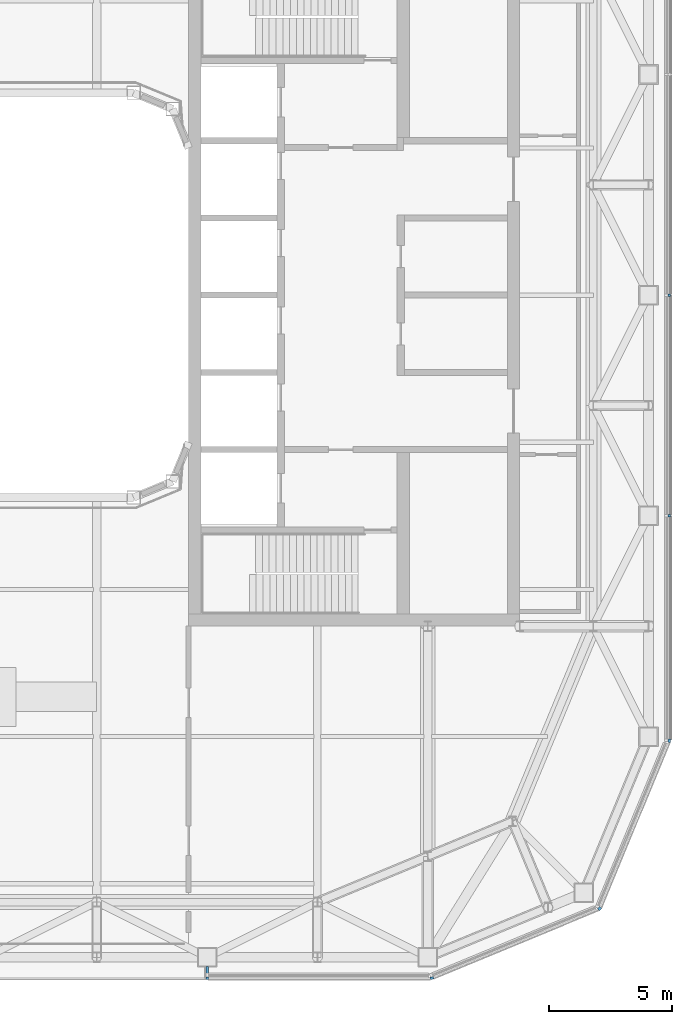
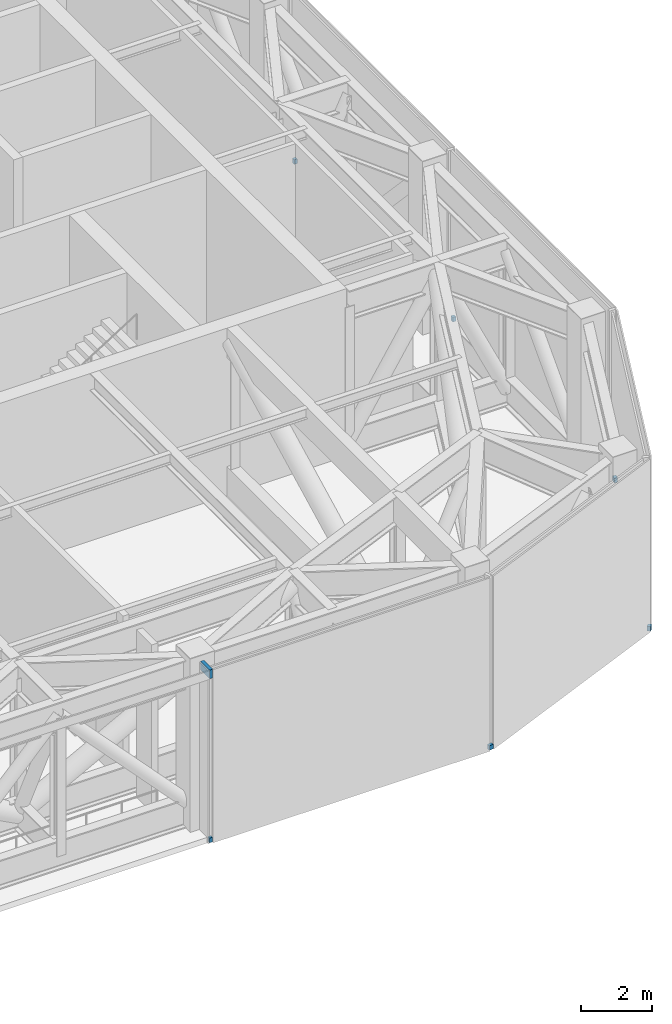
# One storey, part 15 of 21: 7 discrete accessories.
"""IFC4 building model written with IfcOpenShell, lengths in metres."""

from ifc_helpers import new_model, si_unit, direction, frame, origin, origin_2d, place, context, subcontext, project, spatial, rectangle, extrude, material, type_object, element, save


model = new_model("IFC4")

# Units and contexts
model_context = context("Model", 3, precision=1e-05, world=origin(), true_north=direction((0.0, 1.0)))
body_context = subcontext(model_context, "Body", "Model", "MODEL_VIEW")
ifc_project = project(units=[si_unit("LENGTHUNIT", "METRE"), si_unit("AREAUNIT", "SQUARE_METRE"), si_unit("VOLUMEUNIT", "CUBIC_METRE"), si_unit("PLANEANGLEUNIT", "RADIAN"), si_unit("MASSUNIT", "GRAM", prefix="KILO")], contexts=[model_context])

# Site, building, storey
site_placement = place(None, origin())
site = spatial("IfcSite", under=ifc_project, at=site_placement, CompositionType="ELEMENT")
building_placement = place(site_placement, origin())
building = spatial("IfcBuilding", under=site, at=building_placement, Name="Siwar Civic Tower", CompositionType="ELEMENT")
storey_placement = place(building_placement, frame((0.0, 0.0, 278.199951171875)))
storey = spatial("IfcBuildingStorey", under=building, at=storey_placement, Name="L60", CompositionType="ELEMENT", Elevation=278.199951171875)

# Discrete accessories
ifc_material = material(Name="Stainless steel 316", Category="steel")
discrete_accessory_type = type_object("IfcDiscreteAccessoryType", Name="ENV-BRACKET", PredefinedType="BRACKET", material=ifc_material)
for number, where, z_axis, x_axis, name in (
    (1, (27.85009765625, -9.0, -0.1796875), (0.0, 0.0, 1.0), (1.0, 0.0, 0.0), "Bracket outer skin joint E-01"),
    (2, (27.85009765625, 0.0, -0.1796875), (0.0, 0.0, 1.0), (1.0, 0.0, 0.0), "Bracket outer skin joint E-02"),
    (3, (9.0, -27.85009765625, -0.1796875), (0.0, 0.0, 1.0), (0.0, -1.0, 0.0), "Bracket outer skin joint S-03"),
):
    element("IfcDiscreteAccessory", number, at=place(storey_placement, frame(where, z_axis=z_axis, x_axis=x_axis)), inside=storey, type_object=discrete_accessory_type, Name=name, PredefinedType="BRACKET", context=body_context, shape_type="SweptSolid", body=[
        extrude(rectangle(XDim=0.10009765625, YDim=0.10009765625, at=origin_2d()), origin(), (0.0, 0.0, 1.0), 0.159912109375),
    ])
discrete_accessory_1_placement = place(storey_placement, frame((18.169189453125, -27.85009765625, -0.1796875), z_axis=(0.0, 0.0, 1.0), x_axis=(0.195090322016, -0.980785280403, 0.0)))
element("IfcDiscreteAccessory", 4, at=discrete_accessory_1_placement, inside=storey, type_object=discrete_accessory_type, Name="Bracket outer skin joint V01", PredefinedType="BRACKET", context=body_context, shape_type="SweptSolid", body=[
    extrude(rectangle(XDim=0.10205078125, YDim=0.13720703125, at=origin_2d()), origin(), (0.0, 0.0, 1.0), 0.159912109375),
])
discrete_accessory_2_placement = place(storey_placement, frame((25.014404296875, -25.014404296875, -0.1796875), z_axis=(0.0, 0.0, 1.0), x_axis=(0.707106781187, -0.707106781187, 0.0)))
element("IfcDiscreteAccessory", 5, at=discrete_accessory_2_placement, inside=storey, type_object=discrete_accessory_type, Name="Bracket outer skin joint V02", PredefinedType="BRACKET", context=body_context, shape_type="SweptSolid", body=[
    extrude(rectangle(XDim=0.108154296875, YDim=0.12939453125, at=origin_2d()), origin(), (0.0, 0.0, 1.0), 0.159912109375),
])
discrete_accessory_3_placement = place(storey_placement, frame((27.85009765625, -18.169189453125, -0.1796875), z_axis=(0.0, 0.0, 1.0), x_axis=(0.980785280403, -0.195090322016, 0.0)))
element("IfcDiscreteAccessory", 6, at=discrete_accessory_3_placement, inside=storey, type_object=discrete_accessory_type, Name="Bracket outer skin joint V03", PredefinedType="BRACKET", context=body_context, shape_type="SweptSolid", body=[
    extrude(rectangle(XDim=0.10205078125, YDim=0.13720703125, at=origin_2d()), origin(), (0.0, 0.0, 1.0), 0.159912109375),
])
discrete_accessory_4_placement = place(storey_placement, frame((9.0, -27.639892578125, 5.5), z_axis=(0.0, 0.0, 1.0), x_axis=(0.0, 1.0, 0.0)))
element("IfcDiscreteAccessory", 7, at=discrete_accessory_4_placement, inside=storey, type_object=discrete_accessory_type, Name="Bracket portal frame S L60", PredefinedType="BRACKET", context=body_context, shape_type="SweptSolid", body=[
    extrude(rectangle(XDim=0.52001953125, YDim=0.10009765625, at=origin_2d()), origin(), (0.0, 0.0, 1.0), 0.300048828125),
])

save(model, "model.ifc")
